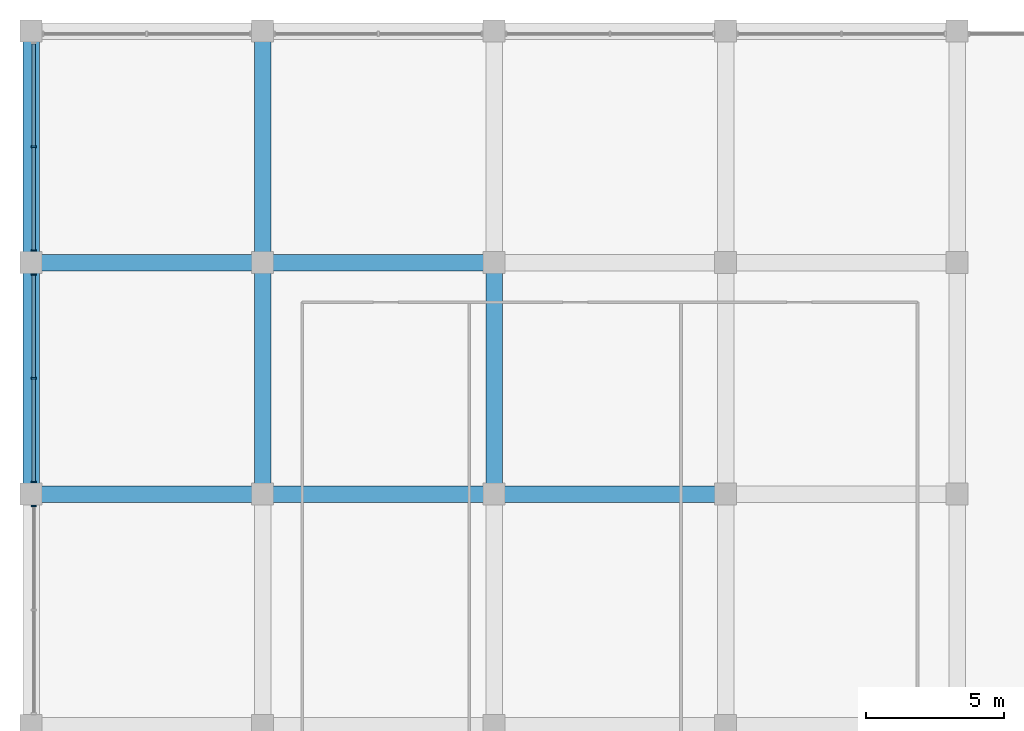
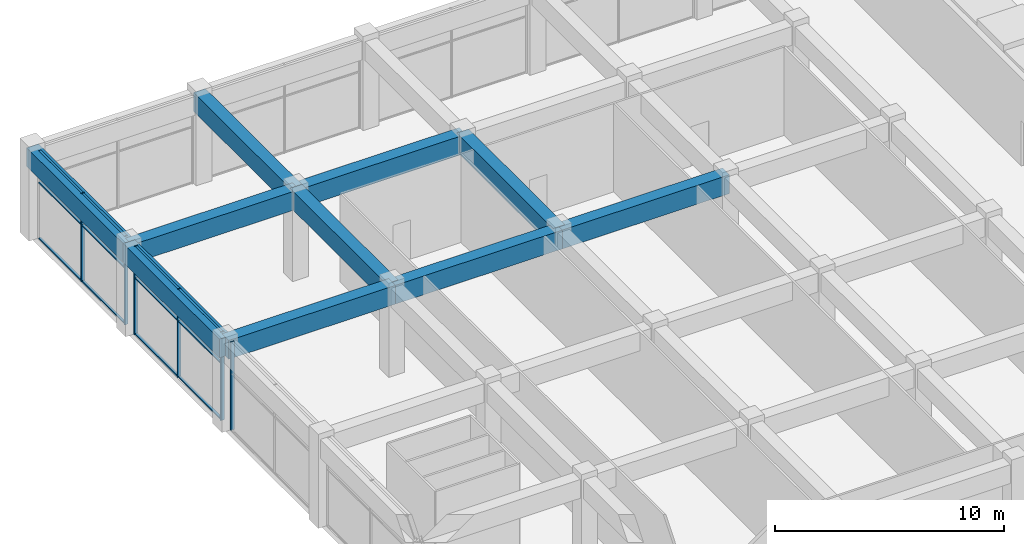
# One storey, part 17 of 34: 18 members, 10 beams, 3 elements without a shape of their own.
"""IFC4 building model written with IfcOpenShell, lengths in metres."""

from ifc_helpers import new_model, si_unit, direction, frame, origin, origin_2d, place, context, subcontext, project, spatial, rectangle, extrude, material, material_profile, profile_set, type_object, element, aggregate, save


model = new_model("IFC4")

# Units and contexts
model_context = context("Model", 3, precision=1e-05, world=origin(), true_north=direction((0.0, 1.0)))
body_context = subcontext(model_context, "Body", "Model", "MODEL_VIEW")
ifc_project = project(units=[si_unit("LENGTHUNIT", "METRE"), si_unit("AREAUNIT", "SQUARE_METRE"), si_unit("VOLUMEUNIT", "CUBIC_METRE"), si_unit("PLANEANGLEUNIT", "RADIAN"), si_unit("MASSUNIT", "GRAM", prefix="KILO")], contexts=[model_context])

# Site, building, storey
site_placement = place(None, origin())
site = spatial("IfcSite", under=ifc_project, at=site_placement, CompositionType="ELEMENT")
building_placement = place(site_placement, origin())
building = spatial("IfcBuilding", under=site, at=building_placement, Name="Impinga Residences", CompositionType="ELEMENT")
storey_placement = place(building_placement, frame((0.0, 0.0, 16.0)))
storey = spatial("IfcBuildingStorey", under=building, at=storey_placement, Name="L03", CompositionType="ELEMENT", Elevation=16.0)

# Curtain wall, member
ifc_material_1 = material(Name="Aluminium stick curtain wall", Category="aluminium")
curtain_wall_type = type_object("IfcCurtainWallType", Name="CW1 podium amenity curtain wall", PredefinedType="USERDEFINED", material=ifc_material_1)
curtain_wall_1_placement = place(storey_placement, origin())
curtain_wall_1 = element("IfcCurtainWall", 1, at=curtain_wall_1_placement, inside=storey, type_object=curtain_wall_type, Name="Curtain wall CW1 L03", ObjectType="STICK CURTAIN WALL", PredefinedType="USERDEFINED")
ifc_material_2 = material(Name="Aluminium mullion", Category="aluminium")
ifc_material_profile_1 = material_profile(ifc_material_2, rectangle(XDim=0.06005859375, YDim=0.179931640625, at=origin_2d()), Name="60x180 mullion")
ifc_profile_set_1 = profile_set([ifc_material_profile_1], Name="Aluminium mullion")
member_type_1 = type_object("IfcMemberType", Name="CW1-M mullion 60x180", PredefinedType="MULLION", material=ifc_profile_set_1)
member_1_placement = place(storey_placement, frame((-50.300048828125, 33.1669921875, 0.0), z_axis=(0.0, 0.0, 1.0), x_axis=(0.0, 1.0, 0.0)))
member_1 = element("IfcMember", 2, at=member_1_placement, type_object=member_type_1, Name="CW1 mullion 3", PredefinedType="MULLION", context=body_context, shape_type="SweptSolid", body=[
    extrude(rectangle(XDim=0.06005859375, YDim=0.179931640625, at=origin_2d()), origin(), (0.0, 0.0, 1.0), 4.699951171875),
])
aggregate(curtain_wall_1, [member_1])

# Curtain wall, members
curtain_wall_2_placement = place(storey_placement, origin())
curtain_wall_2 = element("IfcCurtainWall", 3, at=curtain_wall_2_placement, inside=storey, type_object=curtain_wall_type, Name="Curtain wall CW1 L03", ObjectType="STICK CURTAIN WALL", PredefinedType="USERDEFINED")
member_2_placement = place(storey_placement, frame((-50.300048828125, 34.032958984375, 0.0), z_axis=(0.0, 0.0, 1.0), x_axis=(0.0, 1.0, 0.0)))
member_2 = element("IfcMember", 4, at=member_2_placement, type_object=member_type_1, Name="CW1 mullion 1", PredefinedType="MULLION", context=body_context, shape_type="SweptSolid", body=[
    extrude(rectangle(XDim=0.06005859375, YDim=0.179931640625, at=origin_2d()), origin(), (0.0, 0.0, 1.0), 4.699951171875),
])
member_3_placement = place(storey_placement, frame((-50.300048828125, 37.800048828125, 0.0), z_axis=(0.0, 0.0, 1.0), x_axis=(0.0, 1.0, 0.0)))
member_3 = element("IfcMember", 5, at=member_3_placement, type_object=member_type_1, Name="CW1 mullion 2", PredefinedType="MULLION", context=body_context, shape_type="SweptSolid", body=[
    extrude(rectangle(XDim=0.06005859375, YDim=0.179931640625, at=origin_2d()), origin(), (0.0, 0.0, 1.0), 4.699951171875),
])
member_4_placement = place(storey_placement, frame((-50.300048828125, 41.56689453125, 0.0), z_axis=(0.0, 0.0, 1.0), x_axis=(0.0, 1.0, 0.0)))
member_4 = element("IfcMember", 6, at=member_4_placement, type_object=member_type_1, Name="CW1 mullion 3", PredefinedType="MULLION", context=body_context, shape_type="SweptSolid", body=[
    extrude(rectangle(XDim=0.06005859375, YDim=0.179931640625, at=origin_2d()), origin(), (0.0, 0.0, 1.0), 4.699951171875),
])

curtain_wall_3_placement = place(storey_placement, origin())
curtain_wall_3 = element("IfcCurtainWall", 7, at=curtain_wall_3_placement, inside=storey, type_object=curtain_wall_type, Name="Curtain wall CW1 L03", ObjectType="STICK CURTAIN WALL", PredefinedType="USERDEFINED")
member_5_placement = place(storey_placement, frame((-50.300048828125, 42.43310546875, 0.0), z_axis=(0.0, 0.0, 1.0), x_axis=(0.0, 1.0, 0.0)))
member_5 = element("IfcMember", 8, at=member_5_placement, type_object=member_type_1, Name="CW1 mullion 1", PredefinedType="MULLION", context=body_context, shape_type="SweptSolid", body=[
    extrude(rectangle(XDim=0.06005859375, YDim=0.179931640625, at=origin_2d()), origin(), (0.0, 0.0, 1.0), 4.699951171875),
])
member_6_placement = place(storey_placement, frame((-50.300048828125, 46.199951171875, 0.0), z_axis=(0.0, 0.0, 1.0), x_axis=(0.0, 1.0, 0.0)))
member_6 = element("IfcMember", 9, at=member_6_placement, type_object=member_type_1, Name="CW1 mullion 2", PredefinedType="MULLION", context=body_context, shape_type="SweptSolid", body=[
    extrude(rectangle(XDim=0.06005859375, YDim=0.179931640625, at=origin_2d()), origin(), (0.0, 0.0, 1.0), 4.699951171875),
])

# Member
ifc_material_3 = material(Name="Aluminium transom", Category="aluminium")
ifc_material_profile_2 = material_profile(ifc_material_3, rectangle(XDim=0.06005859375, YDim=0.1201171875, at=origin_2d()), Name="60x120 transom")
ifc_profile_set_2 = profile_set([ifc_material_profile_2], Name="Aluminium transom")
member_type_2 = type_object("IfcMemberType", Name="CW1-T transom 60x120", PredefinedType="USERDEFINED", material=ifc_profile_set_2)
member_7_placement = place(storey_placement, frame((-50.300048828125, 34.06298828125, 0.030029296875), z_axis=(0.0, 1.0, 0.0), x_axis=(0.0, 0.0, 1.0)))
member_7 = element("IfcMember", 10, at=member_7_placement, type_object=member_type_2, Name="CW1 transom 1.1", ObjectType="TRANSOM", PredefinedType="USERDEFINED", context=body_context, shape_type="SweptSolid", body=[
    extrude(rectangle(XDim=0.06005859375, YDim=0.1201171875, at=origin_2d()), origin(), (0.0, 0.0, 1.0), 3.70703125),
])

member_8_placement = place(storey_placement, frame((-50.300048828125, 34.06298828125, 3.0), z_axis=(0.0, 1.0, 0.0), x_axis=(0.0, 0.0, 1.0)))
member_8 = element("IfcMember", 11, at=member_8_placement, type_object=member_type_2, Name="CW1 transom 1.2", ObjectType="TRANSOM", PredefinedType="USERDEFINED", context=body_context, shape_type="SweptSolid", body=[
    extrude(rectangle(XDim=0.06005859375, YDim=0.1201171875, at=origin_2d()), origin(), (0.0, 0.0, 1.0), 3.70703125),
])

member_9_placement = place(storey_placement, frame((-50.300048828125, 34.06298828125, 4.669921875), z_axis=(0.0, 1.0, 0.0), x_axis=(0.0, 0.0, 1.0)))
member_9 = element("IfcMember", 12, at=member_9_placement, type_object=member_type_2, Name="CW1 transom 1.3", ObjectType="TRANSOM", PredefinedType="USERDEFINED", context=body_context, shape_type="SweptSolid", body=[
    extrude(rectangle(XDim=0.06005859375, YDim=0.1201171875, at=origin_2d()), origin(), (0.0, 0.0, 1.0), 3.70703125),
])

member_10_placement = place(storey_placement, frame((-50.300048828125, 37.830078125, 0.030029296875), z_axis=(0.0, 1.0, 0.0), x_axis=(0.0, 0.0, 1.0)))
member_10 = element("IfcMember", 13, at=member_10_placement, type_object=member_type_2, Name="CW1 transom 2.1", ObjectType="TRANSOM", PredefinedType="USERDEFINED", context=body_context, shape_type="SweptSolid", body=[
    extrude(rectangle(XDim=0.06005859375, YDim=0.1201171875, at=origin_2d()), origin(), (0.0, 0.0, 1.0), 3.70703125),
])

member_11_placement = place(storey_placement, frame((-50.300048828125, 37.830078125, 3.0), z_axis=(0.0, 1.0, 0.0), x_axis=(0.0, 0.0, 1.0)))
member_11 = element("IfcMember", 14, at=member_11_placement, type_object=member_type_2, Name="CW1 transom 2.2", ObjectType="TRANSOM", PredefinedType="USERDEFINED", context=body_context, shape_type="SweptSolid", body=[
    extrude(rectangle(XDim=0.06005859375, YDim=0.1201171875, at=origin_2d()), origin(), (0.0, 0.0, 1.0), 3.70703125),
])

member_12_placement = place(storey_placement, frame((-50.300048828125, 37.830078125, 4.669921875), z_axis=(0.0, 1.0, 0.0), x_axis=(0.0, 0.0, 1.0)))
member_12 = element("IfcMember", 15, at=member_12_placement, type_object=member_type_2, Name="CW1 transom 2.3", ObjectType="TRANSOM", PredefinedType="USERDEFINED", context=body_context, shape_type="SweptSolid", body=[
    extrude(rectangle(XDim=0.06005859375, YDim=0.1201171875, at=origin_2d()), origin(), (0.0, 0.0, 1.0), 3.70703125),
])

aggregate(curtain_wall_2, [member_2, member_3, member_4, member_7, member_8, member_9, member_10, member_11, member_12])

member_13_placement = place(storey_placement, frame((-50.300048828125, 42.462890625, 0.030029296875), z_axis=(0.0, 1.0, 0.0), x_axis=(0.0, 0.0, 1.0)))
member_13 = element("IfcMember", 16, at=member_13_placement, type_object=member_type_2, Name="CW1 transom 1.1", ObjectType="TRANSOM", PredefinedType="USERDEFINED", context=body_context, shape_type="SweptSolid", body=[
    extrude(rectangle(XDim=0.06005859375, YDim=0.1201171875, at=origin_2d()), origin(), (0.0, 0.0, 1.0), 3.70703125),
])

member_14_placement = place(storey_placement, frame((-50.300048828125, 42.462890625, 3.0), z_axis=(0.0, 1.0, 0.0), x_axis=(0.0, 0.0, 1.0)))
member_14 = element("IfcMember", 17, at=member_14_placement, type_object=member_type_2, Name="CW1 transom 1.2", ObjectType="TRANSOM", PredefinedType="USERDEFINED", context=body_context, shape_type="SweptSolid", body=[
    extrude(rectangle(XDim=0.06005859375, YDim=0.1201171875, at=origin_2d()), origin(), (0.0, 0.0, 1.0), 3.70703125),
])

member_15_placement = place(storey_placement, frame((-50.300048828125, 42.462890625, 4.669921875), z_axis=(0.0, 1.0, 0.0), x_axis=(0.0, 0.0, 1.0)))
member_15 = element("IfcMember", 18, at=member_15_placement, type_object=member_type_2, Name="CW1 transom 1.3", ObjectType="TRANSOM", PredefinedType="USERDEFINED", context=body_context, shape_type="SweptSolid", body=[
    extrude(rectangle(XDim=0.06005859375, YDim=0.1201171875, at=origin_2d()), origin(), (0.0, 0.0, 1.0), 3.70703125),
])

member_16_placement = place(storey_placement, frame((-50.300048828125, 46.22998046875, 0.030029296875), z_axis=(0.0, 1.0, 0.0), x_axis=(0.0, 0.0, 1.0)))
member_16 = element("IfcMember", 19, at=member_16_placement, type_object=member_type_2, Name="CW1 transom 2.1", ObjectType="TRANSOM", PredefinedType="USERDEFINED", context=body_context, shape_type="SweptSolid", body=[
    extrude(rectangle(XDim=0.06005859375, YDim=0.1201171875, at=origin_2d()), origin(), (0.0, 0.0, 1.0), 3.70703125),
])

member_17_placement = place(storey_placement, frame((-50.300048828125, 46.22998046875, 3.0), z_axis=(0.0, 1.0, 0.0), x_axis=(0.0, 0.0, 1.0)))
member_17 = element("IfcMember", 20, at=member_17_placement, type_object=member_type_2, Name="CW1 transom 2.2", ObjectType="TRANSOM", PredefinedType="USERDEFINED", context=body_context, shape_type="SweptSolid", body=[
    extrude(rectangle(XDim=0.06005859375, YDim=0.1201171875, at=origin_2d()), origin(), (0.0, 0.0, 1.0), 3.70703125),
])

member_18_placement = place(storey_placement, frame((-50.300048828125, 46.22998046875, 4.669921875), z_axis=(0.0, 1.0, 0.0), x_axis=(0.0, 0.0, 1.0)))
member_18 = element("IfcMember", 21, at=member_18_placement, type_object=member_type_2, Name="CW1 transom 2.3", ObjectType="TRANSOM", PredefinedType="USERDEFINED", context=body_context, shape_type="SweptSolid", body=[
    extrude(rectangle(XDim=0.06005859375, YDim=0.1201171875, at=origin_2d()), origin(), (0.0, 0.0, 1.0), 3.70703125),
])

aggregate(curtain_wall_3, [member_5, member_6, member_13, member_14, member_15, member_16, member_17, member_18])

# Beams
ifc_material_4 = material(Name="Concrete C60/75", Category="concrete")
ifc_material_profile_3 = material_profile(ifc_material_4, rectangle(XDim=0.60009765625, YDim=1.0, at=origin_2d()), Name="RC 600x1000")
ifc_profile_set_3 = profile_set([ifc_material_profile_3], Name="Concrete C60/75")
beam_type = type_object("IfcBeamType", Name="PB2 600x1000 podium beam", PredefinedType="BEAM", material=ifc_profile_set_3)
for number, where, z_axis, x_axis, name in (
    (22, (-50.39990234375, 33.60009765625, 4.199951171875), (1.0, 0.0, 0.0), (0.0, 1.0, 0.0), "Beam PB2 K/1-2 level L04"),
    (23, (-42.0, 33.60009765625, 4.199951171875), (1.0, 0.0, 0.0), (0.0, 1.0, 0.0), "Beam PB2 K/2-3 level L04"),
):
    element("IfcBeam", number, at=place(storey_placement, frame(where, z_axis=z_axis, x_axis=x_axis)), inside=storey, type_object=beam_type, Name=name, PredefinedType="BEAM", context=body_context, shape_type="SweptSolid", body=[
        extrude(rectangle(XDim=0.60009765625, YDim=1.0, at=origin_2d()), origin(), (0.0, 0.0, 1.0), 8.39990234375),
    ])
beam_placement = place(storey_placement, frame((-33.60009765625, 33.60009765625, 4.199951171875), z_axis=(1.0, 0.0, 0.0), x_axis=(0.0, 1.0, 0.0)))
element("IfcBeam", 24, at=beam_placement, inside=storey, type_object=beam_type, Name="Beam PB2 K/3-4 level L04", PredefinedType="BEAM", context=body_context, shape_type="SweptSolid", body=[
    extrude(rectangle(XDim=0.60009765625, YDim=1.0, at=origin_2d()), origin(), (0.0, 0.0, 1.0), 8.400146484375),
])
for number, where, z_axis, x_axis, name in (
    (25, (-50.39990234375, 42.0, 4.199951171875), (1.0, 0.0, 0.0), (0.0, 1.0, 0.0), "Beam PB2 L/1-2 level L04"),
    (26, (-42.0, 42.0, 4.199951171875), (1.0, 0.0, 0.0), (0.0, 1.0, 0.0), "Beam PB2 L/2-3 level L04"),
    (27, (-50.39990234375, 33.60009765625, 4.199951171875), (0.0, 1.0, 0.0), (-1.0, 0.0, 0.0), "Beam PB2 1/K-L level L04"),
    (28, (-50.39990234375, 42.0, 4.199951171875), (0.0, 1.0, 0.0), (-1.0, 0.0, 0.0), "Beam PB2 1/L-M level L04"),
    (29, (-42.0, 33.60009765625, 4.199951171875), (0.0, 1.0, 0.0), (-1.0, 0.0, 0.0), "Beam PB2 2/K-L level L04"),
    (30, (-42.0, 42.0, 4.199951171875), (0.0, 1.0, 0.0), (-1.0, 0.0, 0.0), "Beam PB2 2/L-M level L04"),
    (31, (-33.60009765625, 33.60009765625, 4.199951171875), (0.0, 1.0, 0.0), (-1.0, 0.0, 0.0), "Beam PB2 3/K-L level L04"),
):
    element("IfcBeam", number, at=place(storey_placement, frame(where, z_axis=z_axis, x_axis=x_axis)), inside=storey, type_object=beam_type, Name=name, PredefinedType="BEAM", context=body_context, shape_type="SweptSolid", body=[
        extrude(rectangle(XDim=0.60009765625, YDim=1.0, at=origin_2d()), origin(), (0.0, 0.0, 1.0), 8.39990234375),
    ])

save(model, "model.ifc")
